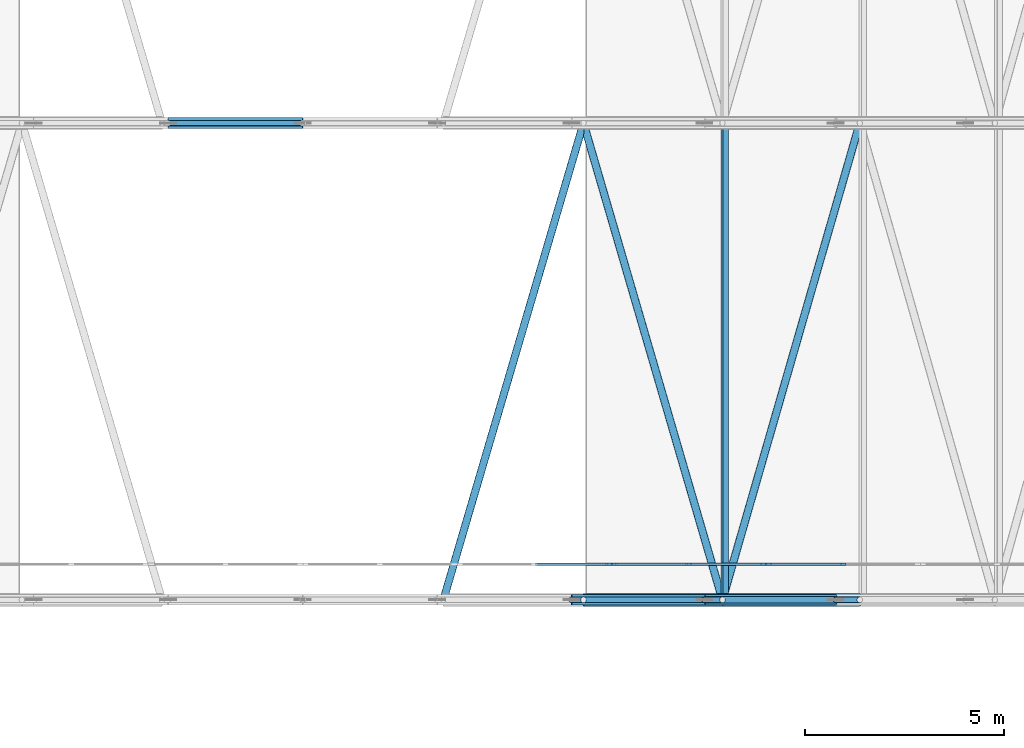
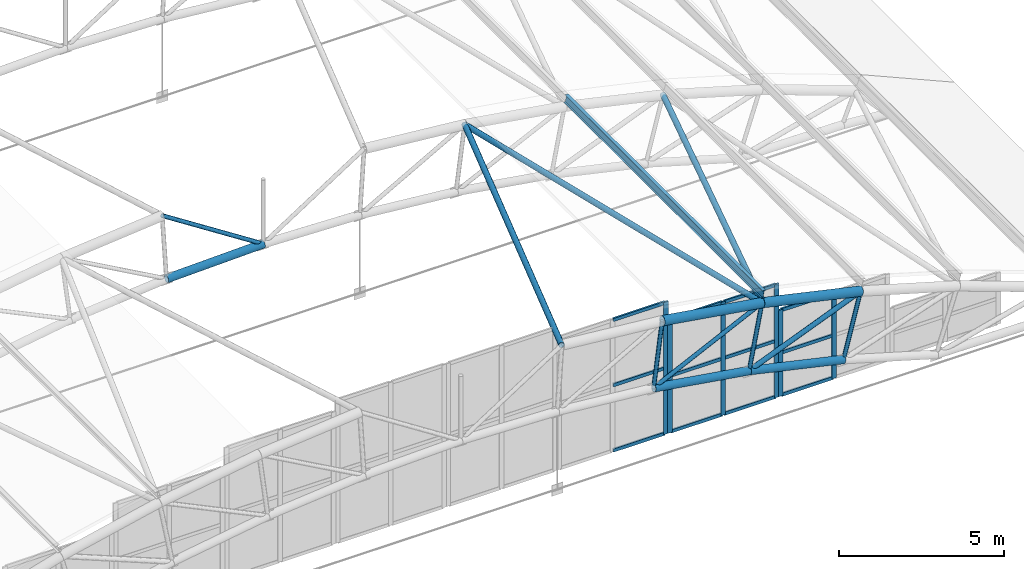
# One storey, part 124 of 321: 33 members, 3 elements without a shape of their own.
"""IFC4 building model written with IfcOpenShell, lengths in metres."""

from ifc_helpers import new_model, si_unit, direction, frame, origin, origin_2d, place, context, subcontext, project, spatial, rectangle, hollow_circle, i_section, extrude, material, layer, layer_set, material_profile, profile_set, type_object, element, aggregate, save


model = new_model("IFC4")

# Units and contexts
model_context = context("Model", 3, precision=1e-05, world=origin(), true_north=direction((0.0, 1.0)))
body_context = subcontext(model_context, "Body", "Model", "MODEL_VIEW")
ifc_project = project(units=[si_unit("LENGTHUNIT", "METRE"), si_unit("AREAUNIT", "SQUARE_METRE"), si_unit("VOLUMEUNIT", "CUBIC_METRE"), si_unit("PLANEANGLEUNIT", "RADIAN"), si_unit("MASSUNIT", "GRAM", prefix="KILO")], contexts=[model_context])

# Site, building, storey
site_placement = place(None, origin())
site = spatial("IfcSite", under=ifc_project, at=site_placement, CompositionType="ELEMENT")
building_placement = place(site_placement, origin())
building = spatial("IfcBuilding", under=site, at=building_placement, Name="Ravi Spectrum Wholesale Market", CompositionType="ELEMENT")
storey_placement = place(building_placement, frame((0.0, 0.0, 10.800048828125)))
storey = spatial("IfcBuildingStorey", under=building, at=storey_placement, Name="L02", CompositionType="ELEMENT", Elevation=10.800048828125)

# Members
ifc_material_1 = material(Name="Steel S355", Category="steel")
ifc_material_profile_1 = material_profile(ifc_material_1, hollow_circle(Radius=0.06982421875, WallThickness=0.0048828125, at=origin_2d()))
ifc_profile_set_1 = profile_set([ifc_material_profile_1], Name="Steel S355")
member_type_1 = type_object("IfcMemberType", Name="CHS 139.7x5 brace", PredefinedType="BRACE", material=ifc_profile_set_1)
member_1_placement = place(storey_placement, frame((184.565673828125, 78.0, 4.394775390625), z_axis=(-0.901638699511, 0.0, -0.432490064098), x_axis=(0.0, -1.0, 0.0)))
element("IfcMember", 1, at=member_1_placement, inside=storey, type_object=member_type_1, Name="H2-MB-L02-050", PredefinedType="BRACE", context=body_context, shape_type="SweptSolid", body=[
    extrude(hollow_circle(Radius=0.06982421875, WallThickness=0.0048828125, at=origin_2d()), origin(), (0.0, 0.0, 1.0), 4.215576171875),
])
member_2_placement = place(storey_placement, frame((170.459228515625, 90.0, 5.2880859375), z_axis=(0.839894736946, 0.0, -0.542749325978), x_axis=(0.0, 1.0, 0.0)))
element("IfcMember", 2, at=member_2_placement, inside=storey, type_object=member_type_1, Name="H2-MB-L02-103", PredefinedType="BRACE", context=body_context, shape_type="SweptSolid", body=[
    extrude(hollow_circle(Radius=0.06982421875, WallThickness=0.0048828125, at=origin_2d()), origin(), (0.0, 0.0, 1.0), 4.2158203125),
])
ifc_material_2 = material(Name="Steel S355", Category="steel")
ifc_material_profile_2 = material_profile(ifc_material_2, hollow_circle(Radius=0.06982421875, WallThickness=0.0048828125, at=origin_2d()))
ifc_profile_set_2 = profile_set([ifc_material_profile_2], Name="Steel S355")
member_type_2 = type_object("IfcMemberType", Name="CHS 139.7x5 post", PredefinedType="POST", material=ifc_profile_set_2)
member_3_placement = place(storey_placement, frame((181.0673828125, 78.0, 4.952392578125), z_axis=(-0.126137795856, 0.0, -0.992012729987), x_axis=(0.0, -1.0, 0.0)))
element("IfcMember", 3, at=member_3_placement, inside=storey, type_object=member_type_2, Name="H2-MB-L02-037", PredefinedType="POST", context=body_context, shape_type="SweptSolid", body=[
    extrude(hollow_circle(Radius=0.06982421875, WallThickness=0.0048828125, at=origin_2d()), origin(), (0.0, 0.0, 1.0), 2.400146484375),
])
member_4_placement = place(storey_placement, frame((184.565673828125, 78.0, 4.394775390625), z_axis=(-0.188500261805, 0.0, -0.982073139486), x_axis=(0.0, -1.0, 0.0)))
element("IfcMember", 4, at=member_4_placement, inside=storey, type_object=member_type_2, Name="H2-MB-L02-038", PredefinedType="POST", context=body_context, shape_type="SweptSolid", body=[
    extrude(hollow_circle(Radius=0.06982421875, WallThickness=0.0048828125, at=origin_2d()), origin(), (0.0, 0.0, 1.0), 2.39990234375),
])
member_5_placement = place(storey_placement, frame((188.02197265625, 78.0, 3.6171875), z_axis=(-0.250234870817, 0.0, -0.96818516278), x_axis=(0.0, -1.0, 0.0)))
element("IfcMember", 5, at=member_5_placement, inside=storey, type_object=member_type_2, Name="H2-MB-L02-039", PredefinedType="POST", context=body_context, shape_type="SweptSolid", body=[
    extrude(hollow_circle(Radius=0.06982421875, WallThickness=0.0048828125, at=origin_2d()), origin(), (0.0, 0.0, 1.0), 2.400146484375),
])
ifc_material_3 = material(Name="Steel S355", Category="steel")
ifc_material_profile_3 = material_profile(ifc_material_3, hollow_circle(Radius=0.084228515625, WallThickness=0.00634765625, at=origin_2d()))
ifc_profile_set_3 = profile_set([ifc_material_profile_3], Name="Steel S355")
member_type_3 = type_object("IfcMemberType", Name="CHS 168.3x6.3 brace", PredefinedType="BRACE", material=ifc_profile_set_3)
member_6_placement = place(storey_placement, frame((188.02197265625, 78.0, 3.6171875), z_axis=(-0.927172989808, 0.0, -0.374633483515), x_axis=(0.0, -1.0, 0.0)))
element("IfcMember", 6, at=member_6_placement, inside=storey, type_object=member_type_3, Name="H2-MB-L02-051", PredefinedType="BRACE", context=body_context, shape_type="SweptSolid", body=[
    extrude(hollow_circle(Radius=0.084228515625, WallThickness=0.00634765625, at=origin_2d()), origin(), (0.0, 0.0, 1.0), 4.2158203125),
])
ifc_material_4 = material(Name="Steel S355", Category="steel")
ifc_material_profile_4 = material_profile(ifc_material_4, hollow_circle(Radius=0.096923828125, WallThickness=0.00634765625, at=origin_2d()))
ifc_profile_set_4 = profile_set([ifc_material_profile_4], Name="Steel S355")
member_type_4 = type_object("IfcMemberType", Name="CHS 193.7x6.3 brace", PredefinedType="BRACE", material=ifc_profile_set_4)
for number, where, z_axis, x_axis, name in (
    (7, (177.540771484375, 78.0, 5.2880859375), (0.281858742221, 0.959080712886, -0.026829752202), (-0.95942608958, 0.281960243001, 0.0), "H2-MB-L02-349"),
    (8, (181.0673828125, 90.0, 4.952392578125), (0.279595912335, -0.959082858756, -0.04456675719), (0.960036743137, 0.279873992766, 0.0), "H2-MB-L02-350"),
    (9, (184.565673828125, 78.0, 4.394775390625), (0.276238275492, 0.959077750723, -0.062147270427), (-0.960935248046, 0.276773280977, 0.0), "H2-MB-L02-351"),
):
    element("IfcMember", number, at=place(storey_placement, frame(where, z_axis=z_axis, x_axis=x_axis)), inside=storey, type_object=member_type_4, Name=name, PredefinedType="BRACE", context=body_context, shape_type="SweptSolid", body=[
        extrude(hollow_circle(Radius=0.096923828125, WallThickness=0.00634765625, at=origin_2d()), origin(), (0.0, 0.0, 1.0), 12.511962890625),
    ])
ifc_material_5 = material(Name="Steel S355", Category="steel")
ifc_material_profile_5 = material_profile(ifc_material_5, hollow_circle(Radius=0.136474609375, WallThickness=0.010009765625, at=origin_2d()))
ifc_profile_set_5 = profile_set([ifc_material_profile_5], Name="Steel S355")
member_type_5 = type_object("IfcMemberType", Name="CHS 273x10 chord", PredefinedType="CHORD", material=ifc_profile_set_5)
for number, where, z_axis, x_axis, name in (
    (10, (180.7646484375, 78.0, 2.571533203125), (0.98753659733, 0.0, -0.157389545185), (0.0, 1.0, 0.0), "H2-MB-L02-024"),
    (11, (184.11328125, 78.0, 2.037841796875), (0.975605901076, 0.0, -0.219529327851), (0.0, 1.0, 0.0), "H2-MB-L02-025"),
    (12, (170.61083984375, 90.0, 2.892822265625), (0.999500345993, 0.0, 0.031607884447), (0.0, 1.0, 0.0), "H2-MB-L02-077"),
):
    element("IfcMember", number, at=place(storey_placement, frame(where, z_axis=z_axis, x_axis=x_axis)), inside=storey, type_object=member_type_5, Name=name, PredefinedType="CHORD", context=body_context, shape_type="SweptSolid", body=[
        extrude(hollow_circle(Radius=0.136474609375, WallThickness=0.010009765625, at=origin_2d()), origin(), (0.0, 0.0, 1.0), 3.390869140625),
    ])
ifc_material_6 = material(Name="Steel S355", Category="steel")
ifc_material_profile_6 = material_profile(ifc_material_6, hollow_circle(Radius=0.161865234375, WallThickness=0.010009765625, at=origin_2d()))
ifc_profile_set_6 = profile_set([ifc_material_profile_6], Name="Steel S355")
member_type_6 = type_object("IfcMemberType", Name="CHS 323.9x10 chord", PredefinedType="CHORD", material=ifc_profile_set_6)
member_7_placement = place(storey_placement, frame((181.0673828125, 78.0, 4.952392578125), z_axis=(0.987533356072, 0.0, -0.157409881029), x_axis=(0.0, 1.0, 0.0)))
element("IfcMember", 13, at=member_7_placement, inside=storey, type_object=member_type_6, Name="H2-MB-L02-010", PredefinedType="CHORD", context=body_context, shape_type="SweptSolid", body=[
    extrude(hollow_circle(Radius=0.161865234375, WallThickness=0.010009765625, at=origin_2d()), origin(), (0.0, 0.0, 1.0), 3.54248046875),
])
member_8_placement = place(storey_placement, frame((184.565673828125, 78.0, 4.394775390625), z_axis=(0.975614552373, 0.0, -0.219490877256), x_axis=(0.0, 1.0, 0.0)))
element("IfcMember", 14, at=member_8_placement, inside=storey, type_object=member_type_6, Name="H2-MB-L02-011", PredefinedType="CHORD", context=body_context, shape_type="SweptSolid", body=[
    extrude(hollow_circle(Radius=0.161865234375, WallThickness=0.010009765625, at=origin_2d()), origin(), (0.0, 0.0, 1.0), 3.542724609375),
])
ifc_material_7 = material(Name="Steel S355", Category="steel")
ifc_material_profile_7 = material_profile(ifc_material_7, i_section(OverallWidth=0.135009765625, OverallDepth=0.27001953125, WebThickness=0.006591796875, FlangeThickness=0.01025390625, at=origin_2d()))
ifc_profile_set_7 = profile_set([ifc_material_profile_7], Name="Steel S355")
member_type_7 = type_object("IfcMemberType", Name="IPE 270 purlin", PredefinedType="PURLIN", material=ifc_profile_set_7)
member_9_placement = place(storey_placement, frame((184.621826171875, 78.0, 4.6865234375), z_axis=(0.0, 1.0, 0.0), x_axis=(-0.982061208549, 0.0, 0.188562410526)))
element("IfcMember", 15, at=member_9_placement, inside=storey, type_object=member_type_7, Name="H2-MB-L02-291", PredefinedType="PURLIN", context=body_context, shape_type="SweptSolid", body=[
    extrude(i_section(OverallWidth=0.135009765625, OverallDepth=0.27001953125, WebThickness=0.006591796875, FlangeThickness=0.01025390625, at=origin_2d()), origin(), (0.0, 0.0, 1.0), 12.0),
])

# Curtain wall, member
ifc_material_8 = material(Name="Aluminium 6063-T6", Category="aluminium")
ifc_layer = layer(ifc_material_8, 0.14990234375)
ifc_layer_set = layer_set([ifc_layer], Name="Aluminium 6063-T6")
curtain_wall_type = type_object("IfcCurtainWallType", Name="Curtain wall 150", PredefinedType="NOTDEFINED", material=ifc_layer_set)
curtain_wall_1_placement = place(storey_placement, origin())
curtain_wall_1 = element("IfcCurtainWall", 16, at=curtain_wall_1_placement, inside=storey, type_object=curtain_wall_type, Name="H2-CW-L02-007", PredefinedType="NOTDEFINED")
ifc_material_9 = material(Name="Aluminium 6063-T6", Category="aluminium")
ifc_material_profile_8 = material_profile(ifc_material_9, rectangle(XDim=0.06005859375, YDim=0.159912109375, at=origin_2d()))
ifc_profile_set_8 = profile_set([ifc_material_profile_8], Name="Aluminium 6063-T6")
member_type_8 = type_object("IfcMemberType", Name="Mullion 60 x 160", PredefinedType="MULLION", material=ifc_profile_set_8)
member_10_placement = place(storey_placement, frame((181.7021484375, 78.89990234375, 0.0), z_axis=(0.0, 0.0, 1.0), x_axis=(0.0, 1.0, 0.0)))
member_10 = element("IfcMember", 17, at=member_10_placement, type_object=member_type_8, Name="H2-CW-L02-007 mullion 3", PredefinedType="MULLION", context=body_context, shape_type="SweptSolid", body=[
    extrude(rectangle(XDim=0.06005859375, YDim=0.159912109375, at=origin_2d()), origin(), (0.0, 0.0, 1.0), 4.89990234375),
])

# Curtain wall, members
curtain_wall_2_placement = place(storey_placement, origin())
curtain_wall_2 = element("IfcCurtainWall", 18, at=curtain_wall_2_placement, inside=storey, type_object=curtain_wall_type, Name="H2-CW-L02-008", PredefinedType="NOTDEFINED")
member_11_placement = place(storey_placement, frame((181.84228515625, 78.89990234375, 0.0), z_axis=(0.0, 0.0, 1.0), x_axis=(0.0, 1.0, 0.0)))
member_11 = element("IfcMember", 19, at=member_11_placement, type_object=member_type_8, Name="H2-CW-L02-008 mullion 1", PredefinedType="MULLION", context=body_context, shape_type="SweptSolid", body=[
    extrude(rectangle(XDim=0.06005859375, YDim=0.159912109375, at=origin_2d()), origin(), (0.0, 0.0, 1.0), 4.199951171875),
])
member_12_placement = place(storey_placement, frame((183.71533203125, 78.89990234375, 0.0), z_axis=(0.0, 0.0, 1.0), x_axis=(0.0, 1.0, 0.0)))
member_12 = element("IfcMember", 20, at=member_12_placement, type_object=member_type_8, Name="H2-CW-L02-008 mullion 2", PredefinedType="MULLION", context=body_context, shape_type="SweptSolid", body=[
    extrude(rectangle(XDim=0.06005859375, YDim=0.159912109375, at=origin_2d()), origin(), (0.0, 0.0, 1.0), 4.199951171875),
])
member_13_placement = place(storey_placement, frame((185.58837890625, 78.89990234375, 0.0), z_axis=(0.0, 0.0, 1.0), x_axis=(0.0, 1.0, 0.0)))
member_13 = element("IfcMember", 21, at=member_13_placement, type_object=member_type_8, Name="H2-CW-L02-008 mullion 3", PredefinedType="MULLION", context=body_context, shape_type="SweptSolid", body=[
    extrude(rectangle(XDim=0.06005859375, YDim=0.159912109375, at=origin_2d()), origin(), (0.0, 0.0, 1.0), 4.199951171875),
])

curtain_wall_3_placement = place(storey_placement, origin())
curtain_wall_3 = element("IfcCurtainWall", 22, at=curtain_wall_3_placement, inside=storey, type_object=curtain_wall_type, Name="H2-CW-L02-009", PredefinedType="NOTDEFINED")
member_14_placement = place(storey_placement, frame((185.728515625, 78.89990234375, 0.0), z_axis=(0.0, 0.0, 1.0), x_axis=(0.0, 1.0, 0.0)))
member_14 = element("IfcMember", 23, at=member_14_placement, type_object=member_type_8, Name="H2-CW-L02-009 mullion 1", PredefinedType="MULLION", context=body_context, shape_type="SweptSolid", body=[
    extrude(rectangle(XDim=0.06005859375, YDim=0.159912109375, at=origin_2d()), origin(), (0.0, 0.0, 1.0), 3.199951171875),
])
member_15_placement = place(storey_placement, frame((187.6015625, 78.89990234375, 0.0), z_axis=(0.0, 0.0, 1.0), x_axis=(0.0, 1.0, 0.0)))
member_15 = element("IfcMember", 24, at=member_15_placement, type_object=member_type_8, Name="H2-CW-L02-009 mullion 2", PredefinedType="MULLION", context=body_context, shape_type="SweptSolid", body=[
    extrude(rectangle(XDim=0.06005859375, YDim=0.159912109375, at=origin_2d()), origin(), (0.0, 0.0, 1.0), 3.199951171875),
])

# Member
ifc_material_10 = material(Name="Aluminium 6063-T6", Category="aluminium")
ifc_material_profile_9 = material_profile(ifc_material_10, rectangle(XDim=0.06005859375, YDim=0.1201171875, at=origin_2d()))
ifc_profile_set_9 = profile_set([ifc_material_profile_9], Name="Aluminium 6063-T6")
member_type_9 = type_object("IfcMemberType", Name="Transom 60 x 120", PredefinedType="USERDEFINED", material=ifc_profile_set_9)
member_16_placement = place(storey_placement, frame((179.859130859375, 78.89990234375, 0.030029296875), z_axis=(1.0, 0.0, 0.0), x_axis=(0.0, 1.0, 0.0)))
member_16 = element("IfcMember", 25, at=member_16_placement, type_object=member_type_9, Name="H2-CW-L02-007 transom 2.1", ObjectType="TRANSOM", PredefinedType="USERDEFINED", context=body_context, shape_type="SweptSolid", body=[
    extrude(rectangle(XDim=0.06005859375, YDim=0.1201171875, at=origin_2d()), origin(), (0.0, 0.0, 1.0), 1.813232421875),
])

member_17_placement = place(storey_placement, frame((179.859130859375, 78.89990234375, 2.449951171875), z_axis=(1.0, 0.0, 0.0), x_axis=(0.0, 1.0, 0.0)))
member_17 = element("IfcMember", 26, at=member_17_placement, type_object=member_type_9, Name="H2-CW-L02-007 transom 2.2", ObjectType="TRANSOM", PredefinedType="USERDEFINED", context=body_context, shape_type="SweptSolid", body=[
    extrude(rectangle(XDim=0.06005859375, YDim=0.1201171875, at=origin_2d()), origin(), (0.0, 0.0, 1.0), 1.813232421875),
])

member_18_placement = place(storey_placement, frame((179.859130859375, 78.89990234375, 4.869873046875), z_axis=(1.0, 0.0, 0.0), x_axis=(0.0, 1.0, 0.0)))
member_18 = element("IfcMember", 27, at=member_18_placement, type_object=member_type_9, Name="H2-CW-L02-007 transom 2.3", ObjectType="TRANSOM", PredefinedType="USERDEFINED", context=body_context, shape_type="SweptSolid", body=[
    extrude(rectangle(XDim=0.06005859375, YDim=0.1201171875, at=origin_2d()), origin(), (0.0, 0.0, 1.0), 1.813232421875),
])

aggregate(curtain_wall_1, [member_10, member_16, member_17, member_18])

member_19_placement = place(storey_placement, frame((181.872314453125, 78.89990234375, 0.030029296875), z_axis=(1.0, 0.0, 0.0), x_axis=(0.0, 1.0, 0.0)))
member_19 = element("IfcMember", 28, at=member_19_placement, type_object=member_type_9, Name="H2-CW-L02-008 transom 1.1", ObjectType="TRANSOM", PredefinedType="USERDEFINED", context=body_context, shape_type="SweptSolid", body=[
    extrude(rectangle(XDim=0.06005859375, YDim=0.1201171875, at=origin_2d()), origin(), (0.0, 0.0, 1.0), 1.81298828125),
])

member_20_placement = place(storey_placement, frame((181.872314453125, 78.89990234375, 2.099853515625), z_axis=(1.0, 0.0, 0.0), x_axis=(0.0, 1.0, 0.0)))
member_20 = element("IfcMember", 29, at=member_20_placement, type_object=member_type_9, Name="H2-CW-L02-008 transom 1.2", ObjectType="TRANSOM", PredefinedType="USERDEFINED", context=body_context, shape_type="SweptSolid", body=[
    extrude(rectangle(XDim=0.06005859375, YDim=0.1201171875, at=origin_2d()), origin(), (0.0, 0.0, 1.0), 1.81298828125),
])

member_21_placement = place(storey_placement, frame((181.872314453125, 78.89990234375, 4.169921875), z_axis=(1.0, 0.0, 0.0), x_axis=(0.0, 1.0, 0.0)))
member_21 = element("IfcMember", 30, at=member_21_placement, type_object=member_type_9, Name="H2-CW-L02-008 transom 1.3", ObjectType="TRANSOM", PredefinedType="USERDEFINED", context=body_context, shape_type="SweptSolid", body=[
    extrude(rectangle(XDim=0.06005859375, YDim=0.1201171875, at=origin_2d()), origin(), (0.0, 0.0, 1.0), 1.81298828125),
])

member_22_placement = place(storey_placement, frame((183.745361328125, 78.89990234375, 0.030029296875), z_axis=(1.0, 0.0, 0.0), x_axis=(0.0, 1.0, 0.0)))
member_22 = element("IfcMember", 31, at=member_22_placement, type_object=member_type_9, Name="H2-CW-L02-008 transom 2.1", ObjectType="TRANSOM", PredefinedType="USERDEFINED", context=body_context, shape_type="SweptSolid", body=[
    extrude(rectangle(XDim=0.06005859375, YDim=0.1201171875, at=origin_2d()), origin(), (0.0, 0.0, 1.0), 1.81298828125),
])

member_23_placement = place(storey_placement, frame((183.745361328125, 78.89990234375, 2.099853515625), z_axis=(1.0, 0.0, 0.0), x_axis=(0.0, 1.0, 0.0)))
member_23 = element("IfcMember", 32, at=member_23_placement, type_object=member_type_9, Name="H2-CW-L02-008 transom 2.2", ObjectType="TRANSOM", PredefinedType="USERDEFINED", context=body_context, shape_type="SweptSolid", body=[
    extrude(rectangle(XDim=0.06005859375, YDim=0.1201171875, at=origin_2d()), origin(), (0.0, 0.0, 1.0), 1.81298828125),
])

member_24_placement = place(storey_placement, frame((183.745361328125, 78.89990234375, 4.169921875), z_axis=(1.0, 0.0, 0.0), x_axis=(0.0, 1.0, 0.0)))
member_24 = element("IfcMember", 33, at=member_24_placement, type_object=member_type_9, Name="H2-CW-L02-008 transom 2.3", ObjectType="TRANSOM", PredefinedType="USERDEFINED", context=body_context, shape_type="SweptSolid", body=[
    extrude(rectangle(XDim=0.06005859375, YDim=0.1201171875, at=origin_2d()), origin(), (0.0, 0.0, 1.0), 1.81298828125),
])

aggregate(curtain_wall_2, [member_11, member_12, member_13, member_19, member_20, member_21, member_22, member_23, member_24])

member_25_placement = place(storey_placement, frame((185.75830078125, 78.89990234375, 0.030029296875), z_axis=(1.0, 0.0, 0.0), x_axis=(0.0, 1.0, 0.0)))
member_25 = element("IfcMember", 34, at=member_25_placement, type_object=member_type_9, Name="H2-CW-L02-009 transom 1.1", ObjectType="TRANSOM", PredefinedType="USERDEFINED", context=body_context, shape_type="SweptSolid", body=[
    extrude(rectangle(XDim=0.06005859375, YDim=0.1201171875, at=origin_2d()), origin(), (0.0, 0.0, 1.0), 1.813232421875),
])

member_26_placement = place(storey_placement, frame((185.75830078125, 78.89990234375, 1.599853515625), z_axis=(1.0, 0.0, 0.0), x_axis=(0.0, 1.0, 0.0)))
member_26 = element("IfcMember", 35, at=member_26_placement, type_object=member_type_9, Name="H2-CW-L02-009 transom 1.2", ObjectType="TRANSOM", PredefinedType="USERDEFINED", context=body_context, shape_type="SweptSolid", body=[
    extrude(rectangle(XDim=0.06005859375, YDim=0.1201171875, at=origin_2d()), origin(), (0.0, 0.0, 1.0), 1.813232421875),
])

member_27_placement = place(storey_placement, frame((185.75830078125, 78.89990234375, 3.169921875), z_axis=(1.0, 0.0, 0.0), x_axis=(0.0, 1.0, 0.0)))
member_27 = element("IfcMember", 36, at=member_27_placement, type_object=member_type_9, Name="H2-CW-L02-009 transom 1.3", ObjectType="TRANSOM", PredefinedType="USERDEFINED", context=body_context, shape_type="SweptSolid", body=[
    extrude(rectangle(XDim=0.06005859375, YDim=0.1201171875, at=origin_2d()), origin(), (0.0, 0.0, 1.0), 1.813232421875),
])

aggregate(curtain_wall_3, [member_14, member_15, member_25, member_26, member_27])

save(model, "model.ifc")
